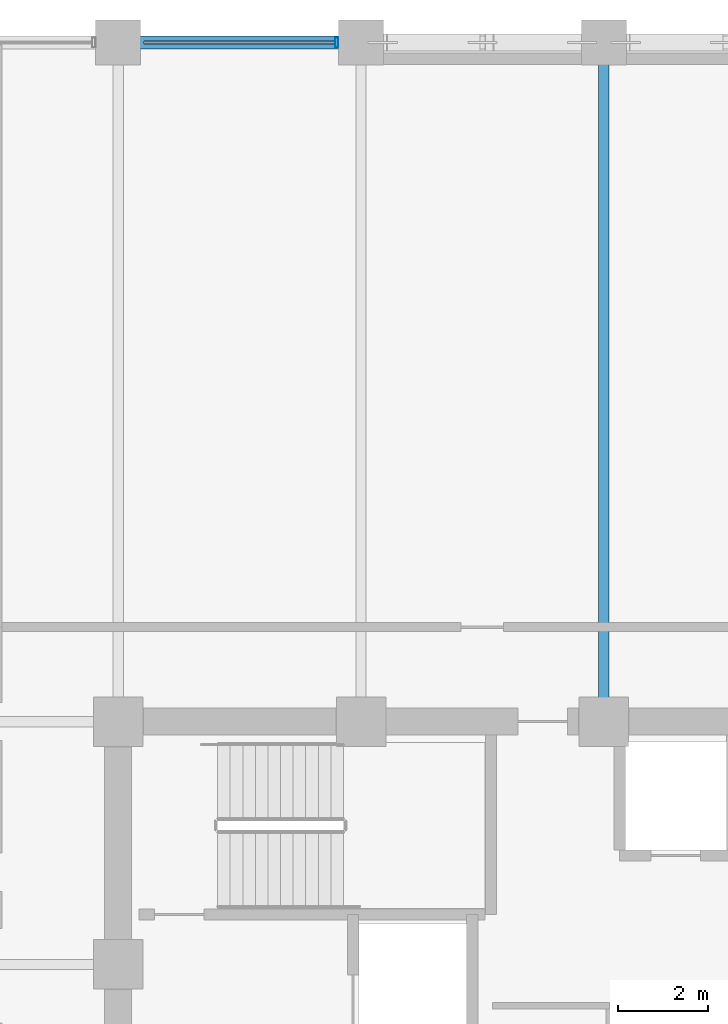
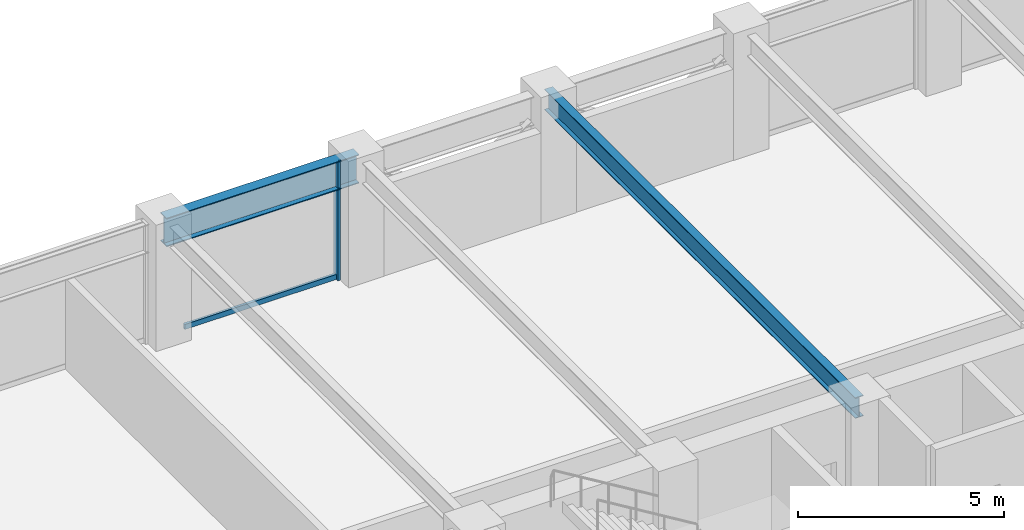
# One storey, part 15 of 29: 2 beams, 2 members, 1 element without a shape of its own.
"""IFC4 building model written with IfcOpenShell, lengths in metres."""

from ifc_helpers import new_model, si_unit, direction, frame, origin, origin_2d, place, context, subcontext, project, spatial, hollow_rectangle, i_section, extrude, material, layer, layer_set, material_profile, profile_set, type_object, element, aggregate, save


model = new_model("IFC4")

# Units and contexts
model_context = context("Model", 3, precision=1e-05, world=origin(), true_north=direction((0.0, 1.0)))
body_context = subcontext(model_context, "Body", "Model", "MODEL_VIEW")
ifc_project = project(units=[si_unit("LENGTHUNIT", "METRE"), si_unit("AREAUNIT", "SQUARE_METRE"), si_unit("VOLUMEUNIT", "CUBIC_METRE"), si_unit("PLANEANGLEUNIT", "RADIAN"), si_unit("MASSUNIT", "GRAM", prefix="KILO")], contexts=[model_context])

# Site, building, storey
site_placement = place(None, origin())
site = spatial("IfcSite", under=ifc_project, at=site_placement, CompositionType="ELEMENT")
building_placement = place(site_placement, origin())
building = spatial("IfcBuilding", under=site, at=building_placement, Name="Surkhivell Harbour Commons", CompositionType="ELEMENT")
storey_placement = place(building_placement, frame((0.0, 0.0, 154.5)))
storey = spatial("IfcBuildingStorey", under=building, at=storey_placement, Name="L40", CompositionType="ELEMENT", Elevation=154.5)

# Beams
ifc_material_1 = material(Name="Steel S355", Category="steel")
ifc_material_profile_1 = material_profile(ifc_material_1, i_section(OverallWidth=0.22998046875, OverallDepth=0.616943359375, WebThickness=0.01318359375, FlangeThickness=0.022216796875, at=origin_2d()), Name="UB610x229x140")
ifc_profile_set_1 = profile_set([ifc_material_profile_1], Name="Steel S355")
beam_type_1 = type_object("IfcBeamType", Name="BM-GRD-610B", PredefinedType="BEAM", material=ifc_profile_set_1)
beam_1_placement = place(storey_placement, frame((0.0, 10.800048828125, 3.261474609375), z_axis=(0.0, 1.0, 0.0), x_axis=(-1.0, 0.0, 0.0)))
element("IfcBeam", 1, at=beam_1_placement, inside=storey, type_object=beam_type_1, Name="L40 Floor Girder (0.0,10.8)", PredefinedType="BEAM", context=body_context, shape_type="SweptSolid", body=[
    extrude(i_section(OverallWidth=0.22998046875, OverallDepth=0.616943359375, WebThickness=0.01318359375, FlangeThickness=0.022216796875, at=origin_2d()), origin(), (0.0, 0.0, 1.0), 15.099853515625),
])
ifc_material_2 = material(Name="Steel S460", Category="steel")
ifc_material_profile_2 = material_profile(ifc_material_2, i_section(OverallWidth=0.2939453125, OverallDepth=0.85107421875, WebThickness=0.01611328125, FlangeThickness=0.02685546875, at=origin_2d()), Name="UB838x292x226")
ifc_profile_set_2 = profile_set([ifc_material_profile_2], Name="Steel S460")
beam_type_2 = type_object("IfcBeamType", Name="BM-SPN-838", PredefinedType="SPANDREL", material=ifc_profile_set_2)
beam_2_placement = place(storey_placement, frame((-10.800048828125, 25.89990234375, 3.14453125), z_axis=(1.0, 0.0, 0.0), x_axis=(0.0, 1.0, 0.0)))
element("IfcBeam", 2, at=beam_2_placement, inside=storey, type_object=beam_type_2, Name="L40 Tube Spandrel (-10.8,25.9)", PredefinedType="SPANDREL", context=body_context, shape_type="SweptSolid", body=[
    extrude(i_section(OverallWidth=0.2939453125, OverallDepth=0.85107421875, WebThickness=0.01611328125, FlangeThickness=0.02685546875, at=origin_2d()), origin(), (0.0, 0.0, 1.0), 5.400146484375),
])

# Curtain wall, members
ifc_material_3 = material(Name="Anodised pale-metal aluminium and insulated glazing", Category="aluminium")
ifc_layer = layer(ifc_material_3, 0.205078125)
ifc_layer_set = layer_set([ifc_layer], Name="Anodised pale-metal aluminium and insulated glazing")
curtain_wall_type = type_object("IfcCurtainWallType", Name="CW-SYS-Z2", PredefinedType="NOTDEFINED", material=ifc_layer_set)
curtain_wall_placement = place(storey_placement, origin())
curtain_wall = element("IfcCurtainWall", 3, at=curtain_wall_placement, inside=storey, type_object=curtain_wall_type, Name="L40 Curtain Wall CW-L40-E07S2", PredefinedType="NOTDEFINED")
ifc_material_4 = material(Name="Anodised pale-metal aluminium alloy 6063-T6", Category="aluminium")
ifc_material_profile_3 = material_profile(ifc_material_4, hollow_rectangle(XDim=0.074951171875, YDim=0.219970703125, WallThickness=0.00390625, at=origin_2d()), Name="ALU-MULL-75x220")
ifc_profile_set_3 = profile_set([ifc_material_profile_3], Name="Anodised pale-metal aluminium alloy 6063-T6")
member_type_1 = type_object("IfcMemberType", Name="CWM-220", PredefinedType="MULLION", material=ifc_profile_set_3)
member_1_placement = place(storey_placement, frame((-5.939453125, 25.89990234375, 0.0), z_axis=(0.0, 0.0, 1.0), x_axis=(-1.0, 0.0, 0.0)))
member_1 = element("IfcMember", 4, at=member_1_placement, type_object=member_type_1, Name="CW-Z2 mullion 1", PredefinedType="MULLION", context=body_context, shape_type="SweptSolid", body=[
    extrude(hollow_rectangle(XDim=0.074951171875, YDim=0.219970703125, WallThickness=0.00390625, at=origin_2d()), origin(), (0.0, 0.0, 1.0), 3.570068359375),
])
ifc_material_profile_4 = material_profile(ifc_material_4, hollow_rectangle(XDim=0.074951171875, YDim=0.14990234375, WallThickness=0.00341796875, at=origin_2d()), Name="ALU-TRAN-75x150")
ifc_profile_set_4 = profile_set([ifc_material_profile_4], Name="Anodised pale-metal aluminium alloy 6063-T6")
member_type_2 = type_object("IfcMemberType", Name="CWT-150", PredefinedType="USERDEFINED", material=ifc_profile_set_4)
member_2_placement = place(storey_placement, frame((-5.97705078125, 25.89990234375, 0.074951171875), z_axis=(-1.0, 0.0, 0.0), x_axis=(0.0, -1.0, 0.0)))
member_2 = element("IfcMember", 5, at=member_2_placement, type_object=member_type_2, Name="CW-Z2 transom 1.1", ObjectType="TRANSOM", PredefinedType="USERDEFINED", context=body_context, shape_type="SweptSolid", body=[
    extrude(hollow_rectangle(XDim=0.074951171875, YDim=0.14990234375, WallThickness=0.00341796875, at=origin_2d()), origin(), (0.0, 0.0, 1.0), 4.245849609375),
])
aggregate(curtain_wall, [member_1, member_2])

save(model, "model.ifc")
